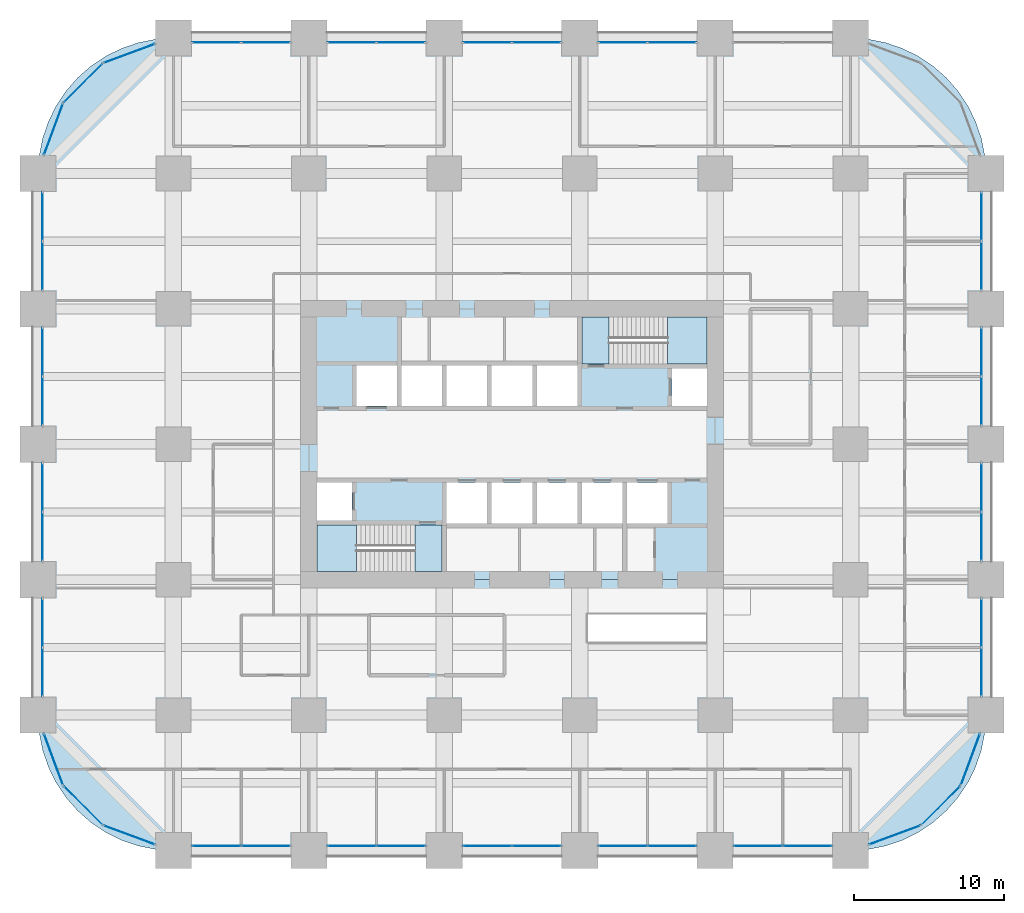
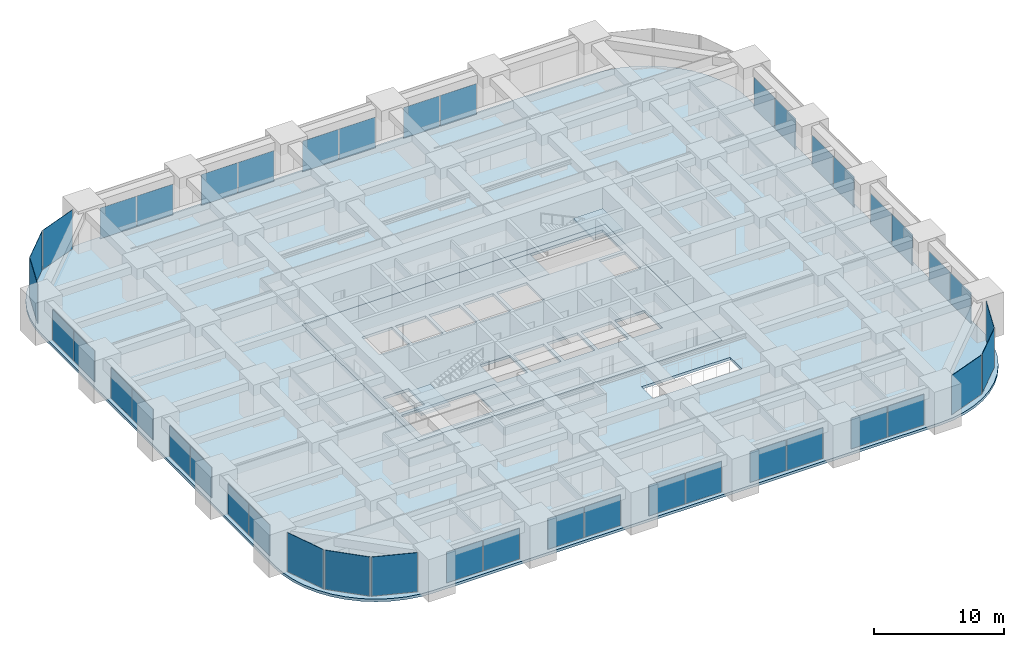
# One storey, part 38 of 45: 43 plates, 6 slabs, 28 elements without a shape of their own.
"""IFC4 building model written with IfcOpenShell, lengths in metres."""

from ifc_helpers import new_model, si_unit, direction, frame, origin, origin_2d, place, context, subcontext, project, spatial, polyline, rectangle, outline, extrude, material, layer, layer_set, type_object, element, aggregate, save


model = new_model("IFC4")

# Units and contexts
model_context = context("Model", 3, precision=1e-05, world=origin(), true_north=direction((0.0, 1.0)))
body_context = subcontext(model_context, "Body", "Model", "MODEL_VIEW")
ifc_project = project(units=[si_unit("LENGTHUNIT", "METRE"), si_unit("AREAUNIT", "SQUARE_METRE"), si_unit("VOLUMEUNIT", "CUBIC_METRE"), si_unit("PLANEANGLEUNIT", "RADIAN"), si_unit("MASSUNIT", "GRAM", prefix="KILO")], contexts=[model_context])

# Site, building, storey
site_placement = place(None, origin())
site = spatial("IfcSite", under=ifc_project, at=site_placement, CompositionType="ELEMENT")
building_placement = place(site_placement, origin())
building = spatial("IfcBuilding", under=site, at=building_placement, Name="Zorevar Civic Tower", CompositionType="ELEMENT")
storey_placement = place(building_placement, frame((0.0, 0.0, 27.800048828125)))
storey = spatial("IfcBuildingStorey", under=building, at=storey_placement, Name="L06", CompositionType="ELEMENT", Elevation=27.800048828125)

# Curtain wall, plates
ifc_material_1 = material(Name="Dark grey solar-control glass in black aluminium frame", Category="aluminium")
curtain_wall_type = type_object("IfcCurtainWallType", Name="Curtain wall CW2 low zone", PredefinedType="NOTDEFINED", material=ifc_material_1)
curtain_wall_1_placement = place(storey_placement, origin())
curtain_wall_1 = element("IfcCurtainWall", 1, at=curtain_wall_1_placement, inside=storey, type_object=curtain_wall_type, Name="CW2 L06", PredefinedType="NOTDEFINED")
ifc_material_2 = material(Name="Dark grey solar-control glass", Category="glass")
ifc_layer_1 = layer(ifc_material_2, 0.031982421875)
ifc_layer_set_1 = layer_set([ifc_layer_1], Name="CW2 panel 32")
plate_type = type_object("IfcPlateType", Name="CW2 panel 32", PredefinedType="CURTAIN_PANEL", material=ifc_layer_set_1)
plate_1_placement = place(storey_placement, frame((11.864990234375, 0.300048828125, 0.06005859375), z_axis=(0.0, 0.0, 1.0), x_axis=(1.0, 0.0, 0.0)))
plate_1 = element("IfcPlate", 2, at=plate_1_placement, type_object=plate_type, Name="CW2 panel 1.1", PredefinedType="CURTAIN_PANEL", context=body_context, shape_type="SweptSolid", body=[
    extrude(rectangle(XDim=3.2099609375, YDim=0.031982421875, at=origin_2d()), origin(), (0.0, 0.0, 1.0), 2.889892578125),
])
plate_2_placement = place(storey_placement, frame((15.135009765625, 0.300048828125, 0.06005859375), z_axis=(0.0, 0.0, 1.0), x_axis=(1.0, 0.0, 0.0)))
plate_2 = element("IfcPlate", 3, at=plate_2_placement, type_object=plate_type, Name="CW2 panel 2.1", PredefinedType="CURTAIN_PANEL", context=body_context, shape_type="SweptSolid", body=[
    extrude(rectangle(XDim=3.2099609375, YDim=0.031982421875, at=origin_2d()), origin(), (0.0, 0.0, 1.0), 2.889892578125),
])
aggregate(curtain_wall_1, [plate_1, plate_2])

curtain_wall_2_placement = place(storey_placement, origin())
curtain_wall_2 = element("IfcCurtainWall", 4, at=curtain_wall_2_placement, inside=storey, type_object=curtain_wall_type, Name="CW2 L06", PredefinedType="NOTDEFINED")
plate_3_placement = place(storey_placement, frame((11.864990234375, 53.699951171875, 0.06005859375), z_axis=(0.0, 0.0, 1.0), x_axis=(1.0, 0.0, 0.0)))
plate_3 = element("IfcPlate", 5, at=plate_3_placement, type_object=plate_type, Name="CW2 panel 1.1", PredefinedType="CURTAIN_PANEL", context=body_context, shape_type="SweptSolid", body=[
    extrude(rectangle(XDim=3.2099609375, YDim=0.031982421875, at=origin_2d()), origin(), (0.0, 0.0, 1.0), 2.889892578125),
])
plate_4_placement = place(storey_placement, frame((15.135009765625, 53.699951171875, 0.06005859375), z_axis=(0.0, 0.0, 1.0), x_axis=(1.0, 0.0, 0.0)))
plate_4 = element("IfcPlate", 6, at=plate_4_placement, type_object=plate_type, Name="CW2 panel 2.1", PredefinedType="CURTAIN_PANEL", context=body_context, shape_type="SweptSolid", body=[
    extrude(rectangle(XDim=3.2099609375, YDim=0.031982421875, at=origin_2d()), origin(), (0.0, 0.0, 1.0), 2.889892578125),
])
aggregate(curtain_wall_2, [plate_3, plate_4])

curtain_wall_3_placement = place(storey_placement, origin())
curtain_wall_3 = element("IfcCurtainWall", 7, at=curtain_wall_3_placement, inside=storey, type_object=curtain_wall_type, Name="CW2 L06", PredefinedType="NOTDEFINED")
plate_5_placement = place(storey_placement, frame((20.864990234375, 0.300048828125, 0.06005859375), z_axis=(0.0, 0.0, 1.0), x_axis=(1.0, 0.0, 0.0)))
plate_5 = element("IfcPlate", 8, at=plate_5_placement, type_object=plate_type, Name="CW2 panel 1.1", PredefinedType="CURTAIN_PANEL", context=body_context, shape_type="SweptSolid", body=[
    extrude(rectangle(XDim=3.2099609375, YDim=0.031982421875, at=origin_2d()), origin(), (0.0, 0.0, 1.0), 2.889892578125),
])
plate_6_placement = place(storey_placement, frame((24.135009765625, 0.300048828125, 0.06005859375), z_axis=(0.0, 0.0, 1.0), x_axis=(1.0, 0.0, 0.0)))
plate_6 = element("IfcPlate", 9, at=plate_6_placement, type_object=plate_type, Name="CW2 panel 2.1", PredefinedType="CURTAIN_PANEL", context=body_context, shape_type="SweptSolid", body=[
    extrude(rectangle(XDim=3.2099609375, YDim=0.031982421875, at=origin_2d()), origin(), (0.0, 0.0, 1.0), 2.889892578125),
])
aggregate(curtain_wall_3, [plate_5, plate_6])

curtain_wall_4_placement = place(storey_placement, origin())
curtain_wall_4 = element("IfcCurtainWall", 10, at=curtain_wall_4_placement, inside=storey, type_object=curtain_wall_type, Name="CW2 L06", PredefinedType="NOTDEFINED")
plate_7_placement = place(storey_placement, frame((20.864990234375, 53.699951171875, 0.06005859375), z_axis=(0.0, 0.0, 1.0), x_axis=(1.0, 0.0, 0.0)))
plate_7 = element("IfcPlate", 11, at=plate_7_placement, type_object=plate_type, Name="CW2 panel 1.1", PredefinedType="CURTAIN_PANEL", context=body_context, shape_type="SweptSolid", body=[
    extrude(rectangle(XDim=3.2099609375, YDim=0.031982421875, at=origin_2d()), origin(), (0.0, 0.0, 1.0), 2.889892578125),
])
plate_8_placement = place(storey_placement, frame((24.135009765625, 53.699951171875, 0.06005859375), z_axis=(0.0, 0.0, 1.0), x_axis=(1.0, 0.0, 0.0)))
plate_8 = element("IfcPlate", 12, at=plate_8_placement, type_object=plate_type, Name="CW2 panel 2.1", PredefinedType="CURTAIN_PANEL", context=body_context, shape_type="SweptSolid", body=[
    extrude(rectangle(XDim=3.2099609375, YDim=0.031982421875, at=origin_2d()), origin(), (0.0, 0.0, 1.0), 2.889892578125),
])
aggregate(curtain_wall_4, [plate_7, plate_8])

curtain_wall_5_placement = place(storey_placement, origin())
curtain_wall_5 = element("IfcCurtainWall", 13, at=curtain_wall_5_placement, inside=storey, type_object=curtain_wall_type, Name="CW2 L06", PredefinedType="NOTDEFINED")
plate_9_placement = place(storey_placement, frame((29.864990234375, 0.300048828125, 0.06005859375), z_axis=(0.0, 0.0, 1.0), x_axis=(1.0, 0.0, 0.0)))
plate_9 = element("IfcPlate", 14, at=plate_9_placement, type_object=plate_type, Name="CW2 panel 1.1", PredefinedType="CURTAIN_PANEL", context=body_context, shape_type="SweptSolid", body=[
    extrude(rectangle(XDim=3.2099609375, YDim=0.031982421875, at=origin_2d()), origin(), (0.0, 0.0, 1.0), 2.889892578125),
])
plate_10_placement = place(storey_placement, frame((33.135009765625, 0.300048828125, 0.06005859375), z_axis=(0.0, 0.0, 1.0), x_axis=(1.0, 0.0, 0.0)))
plate_10 = element("IfcPlate", 15, at=plate_10_placement, type_object=plate_type, Name="CW2 panel 2.1", PredefinedType="CURTAIN_PANEL", context=body_context, shape_type="SweptSolid", body=[
    extrude(rectangle(XDim=3.2099609375, YDim=0.031982421875, at=origin_2d()), origin(), (0.0, 0.0, 1.0), 2.889892578125),
])
aggregate(curtain_wall_5, [plate_9, plate_10])

curtain_wall_6_placement = place(storey_placement, origin())
curtain_wall_6 = element("IfcCurtainWall", 16, at=curtain_wall_6_placement, inside=storey, type_object=curtain_wall_type, Name="CW2 L06", PredefinedType="NOTDEFINED")
plate_11_placement = place(storey_placement, frame((29.864990234375, 53.699951171875, 0.06005859375), z_axis=(0.0, 0.0, 1.0), x_axis=(1.0, 0.0, 0.0)))
plate_11 = element("IfcPlate", 17, at=plate_11_placement, type_object=plate_type, Name="CW2 panel 1.1", PredefinedType="CURTAIN_PANEL", context=body_context, shape_type="SweptSolid", body=[
    extrude(rectangle(XDim=3.2099609375, YDim=0.031982421875, at=origin_2d()), origin(), (0.0, 0.0, 1.0), 2.889892578125),
])
plate_12_placement = place(storey_placement, frame((33.135009765625, 53.699951171875, 0.06005859375), z_axis=(0.0, 0.0, 1.0), x_axis=(1.0, 0.0, 0.0)))
plate_12 = element("IfcPlate", 18, at=plate_12_placement, type_object=plate_type, Name="CW2 panel 2.1", PredefinedType="CURTAIN_PANEL", context=body_context, shape_type="SweptSolid", body=[
    extrude(rectangle(XDim=3.2099609375, YDim=0.031982421875, at=origin_2d()), origin(), (0.0, 0.0, 1.0), 2.889892578125),
])
aggregate(curtain_wall_6, [plate_11, plate_12])

curtain_wall_7_placement = place(storey_placement, origin())
curtain_wall_7 = element("IfcCurtainWall", 19, at=curtain_wall_7_placement, inside=storey, type_object=curtain_wall_type, Name="CW2 L06", PredefinedType="NOTDEFINED")
plate_13_placement = place(storey_placement, frame((38.864990234375, 0.300048828125, 0.06005859375), z_axis=(0.0, 0.0, 1.0), x_axis=(1.0, 0.0, 0.0)))
plate_13 = element("IfcPlate", 20, at=plate_13_placement, type_object=plate_type, Name="CW2 panel 1.1", PredefinedType="CURTAIN_PANEL", context=body_context, shape_type="SweptSolid", body=[
    extrude(rectangle(XDim=3.2099609375, YDim=0.031982421875, at=origin_2d()), origin(), (0.0, 0.0, 1.0), 2.889892578125),
])
plate_14_placement = place(storey_placement, frame((42.135009765625, 0.300048828125, 0.06005859375), z_axis=(0.0, 0.0, 1.0), x_axis=(1.0, 0.0, 0.0)))
plate_14 = element("IfcPlate", 21, at=plate_14_placement, type_object=plate_type, Name="CW2 panel 2.1", PredefinedType="CURTAIN_PANEL", context=body_context, shape_type="SweptSolid", body=[
    extrude(rectangle(XDim=3.2099609375, YDim=0.031982421875, at=origin_2d()), origin(), (0.0, 0.0, 1.0), 2.889892578125),
])
aggregate(curtain_wall_7, [plate_13, plate_14])

curtain_wall_8_placement = place(storey_placement, origin())
curtain_wall_8 = element("IfcCurtainWall", 22, at=curtain_wall_8_placement, inside=storey, type_object=curtain_wall_type, Name="CW2 L06", PredefinedType="NOTDEFINED")
plate_15_placement = place(storey_placement, frame((38.864990234375, 53.699951171875, 0.06005859375), z_axis=(0.0, 0.0, 1.0), x_axis=(1.0, 0.0, 0.0)))
plate_15 = element("IfcPlate", 23, at=plate_15_placement, type_object=plate_type, Name="CW2 panel 1.1", PredefinedType="CURTAIN_PANEL", context=body_context, shape_type="SweptSolid", body=[
    extrude(rectangle(XDim=3.2099609375, YDim=0.031982421875, at=origin_2d()), origin(), (0.0, 0.0, 1.0), 2.889892578125),
])
plate_16_placement = place(storey_placement, frame((42.135009765625, 53.699951171875, 0.06005859375), z_axis=(0.0, 0.0, 1.0), x_axis=(1.0, 0.0, 0.0)))
plate_16 = element("IfcPlate", 24, at=plate_16_placement, type_object=plate_type, Name="CW2 panel 2.1", PredefinedType="CURTAIN_PANEL", context=body_context, shape_type="SweptSolid", body=[
    extrude(rectangle(XDim=3.2099609375, YDim=0.031982421875, at=origin_2d()), origin(), (0.0, 0.0, 1.0), 2.889892578125),
])
aggregate(curtain_wall_8, [plate_15, plate_16])

curtain_wall_9_placement = place(storey_placement, origin())
curtain_wall_9 = element("IfcCurtainWall", 25, at=curtain_wall_9_placement, inside=storey, type_object=curtain_wall_type, Name="CW2 L06", PredefinedType="NOTDEFINED")
plate_17_placement = place(storey_placement, frame((47.864990234375, 0.300048828125, 0.06005859375), z_axis=(0.0, 0.0, 1.0), x_axis=(1.0, 0.0, 0.0)))
plate_17 = element("IfcPlate", 26, at=plate_17_placement, type_object=plate_type, Name="CW2 panel 1.1", PredefinedType="CURTAIN_PANEL", context=body_context, shape_type="SweptSolid", body=[
    extrude(rectangle(XDim=3.2099609375, YDim=0.031982421875, at=origin_2d()), origin(), (0.0, 0.0, 1.0), 2.889892578125),
])
plate_18_placement = place(storey_placement, frame((51.135009765625, 0.300048828125, 0.06005859375), z_axis=(0.0, 0.0, 1.0), x_axis=(1.0, 0.0, 0.0)))
plate_18 = element("IfcPlate", 27, at=plate_18_placement, type_object=plate_type, Name="CW2 panel 2.1", PredefinedType="CURTAIN_PANEL", context=body_context, shape_type="SweptSolid", body=[
    extrude(rectangle(XDim=3.2099609375, YDim=0.031982421875, at=origin_2d()), origin(), (0.0, 0.0, 1.0), 2.889892578125),
])
aggregate(curtain_wall_9, [plate_17, plate_18])

curtain_wall_10_placement = place(storey_placement, origin())
curtain_wall_10 = element("IfcCurtainWall", 28, at=curtain_wall_10_placement, inside=storey, type_object=curtain_wall_type, Name="CW2 L06", PredefinedType="NOTDEFINED")
plate_19_placement = place(storey_placement, frame((0.300048828125, 11.864990234375, 0.06005859375), z_axis=(0.0, 0.0, 1.0), x_axis=(0.0, 1.0, 0.0)))
plate_19 = element("IfcPlate", 29, at=plate_19_placement, type_object=plate_type, Name="CW2 panel 1.1", PredefinedType="CURTAIN_PANEL", context=body_context, shape_type="SweptSolid", body=[
    extrude(rectangle(XDim=3.2099609375, YDim=0.031982421875, at=origin_2d()), origin(), (0.0, 0.0, 1.0), 2.889892578125),
])
plate_20_placement = place(storey_placement, frame((0.300048828125, 15.135009765625, 0.06005859375), z_axis=(0.0, 0.0, 1.0), x_axis=(0.0, 1.0, 0.0)))
plate_20 = element("IfcPlate", 30, at=plate_20_placement, type_object=plate_type, Name="CW2 panel 2.1", PredefinedType="CURTAIN_PANEL", context=body_context, shape_type="SweptSolid", body=[
    extrude(rectangle(XDim=3.2099609375, YDim=0.031982421875, at=origin_2d()), origin(), (0.0, 0.0, 1.0), 2.889892578125),
])
aggregate(curtain_wall_10, [plate_19, plate_20])

curtain_wall_11_placement = place(storey_placement, origin())
curtain_wall_11 = element("IfcCurtainWall", 31, at=curtain_wall_11_placement, inside=storey, type_object=curtain_wall_type, Name="CW2 L06", PredefinedType="NOTDEFINED")
plate_21_placement = place(storey_placement, frame((62.699951171875, 11.864990234375, 0.06005859375), z_axis=(0.0, 0.0, 1.0), x_axis=(0.0, 1.0, 0.0)))
plate_21 = element("IfcPlate", 32, at=plate_21_placement, type_object=plate_type, Name="CW2 panel 1.1", PredefinedType="CURTAIN_PANEL", context=body_context, shape_type="SweptSolid", body=[
    extrude(rectangle(XDim=3.2099609375, YDim=0.031982421875, at=origin_2d()), origin(), (0.0, 0.0, 1.0), 2.889892578125),
])
plate_22_placement = place(storey_placement, frame((62.699951171875, 15.135009765625, 0.06005859375), z_axis=(0.0, 0.0, 1.0), x_axis=(0.0, 1.0, 0.0)))
plate_22 = element("IfcPlate", 33, at=plate_22_placement, type_object=plate_type, Name="CW2 panel 2.1", PredefinedType="CURTAIN_PANEL", context=body_context, shape_type="SweptSolid", body=[
    extrude(rectangle(XDim=3.2099609375, YDim=0.031982421875, at=origin_2d()), origin(), (0.0, 0.0, 1.0), 2.889892578125),
])
aggregate(curtain_wall_11, [plate_21, plate_22])

curtain_wall_12_placement = place(storey_placement, origin())
curtain_wall_12 = element("IfcCurtainWall", 34, at=curtain_wall_12_placement, inside=storey, type_object=curtain_wall_type, Name="CW2 L06", PredefinedType="NOTDEFINED")
plate_23_placement = place(storey_placement, frame((0.300048828125, 20.864990234375, 0.06005859375), z_axis=(0.0, 0.0, 1.0), x_axis=(0.0, 1.0, 0.0)))
plate_23 = element("IfcPlate", 35, at=plate_23_placement, type_object=plate_type, Name="CW2 panel 1.1", PredefinedType="CURTAIN_PANEL", context=body_context, shape_type="SweptSolid", body=[
    extrude(rectangle(XDim=3.2099609375, YDim=0.031982421875, at=origin_2d()), origin(), (0.0, 0.0, 1.0), 2.889892578125),
])
plate_24_placement = place(storey_placement, frame((0.300048828125, 24.135009765625, 0.06005859375), z_axis=(0.0, 0.0, 1.0), x_axis=(0.0, 1.0, 0.0)))
plate_24 = element("IfcPlate", 36, at=plate_24_placement, type_object=plate_type, Name="CW2 panel 2.1", PredefinedType="CURTAIN_PANEL", context=body_context, shape_type="SweptSolid", body=[
    extrude(rectangle(XDim=3.2099609375, YDim=0.031982421875, at=origin_2d()), origin(), (0.0, 0.0, 1.0), 2.889892578125),
])
aggregate(curtain_wall_12, [plate_23, plate_24])

curtain_wall_13_placement = place(storey_placement, origin())
curtain_wall_13 = element("IfcCurtainWall", 37, at=curtain_wall_13_placement, inside=storey, type_object=curtain_wall_type, Name="CW2 L06", PredefinedType="NOTDEFINED")
plate_25_placement = place(storey_placement, frame((62.699951171875, 20.864990234375, 0.06005859375), z_axis=(0.0, 0.0, 1.0), x_axis=(0.0, 1.0, 0.0)))
plate_25 = element("IfcPlate", 38, at=plate_25_placement, type_object=plate_type, Name="CW2 panel 1.1", PredefinedType="CURTAIN_PANEL", context=body_context, shape_type="SweptSolid", body=[
    extrude(rectangle(XDim=3.2099609375, YDim=0.031982421875, at=origin_2d()), origin(), (0.0, 0.0, 1.0), 2.889892578125),
])
plate_26_placement = place(storey_placement, frame((62.699951171875, 24.135009765625, 0.06005859375), z_axis=(0.0, 0.0, 1.0), x_axis=(0.0, 1.0, 0.0)))
plate_26 = element("IfcPlate", 39, at=plate_26_placement, type_object=plate_type, Name="CW2 panel 2.1", PredefinedType="CURTAIN_PANEL", context=body_context, shape_type="SweptSolid", body=[
    extrude(rectangle(XDim=3.2099609375, YDim=0.031982421875, at=origin_2d()), origin(), (0.0, 0.0, 1.0), 2.889892578125),
])
aggregate(curtain_wall_13, [plate_25, plate_26])

curtain_wall_14_placement = place(storey_placement, origin())
curtain_wall_14 = element("IfcCurtainWall", 40, at=curtain_wall_14_placement, inside=storey, type_object=curtain_wall_type, Name="CW2 L06", PredefinedType="NOTDEFINED")
plate_27_placement = place(storey_placement, frame((0.300048828125, 29.864990234375, 0.06005859375), z_axis=(0.0, 0.0, 1.0), x_axis=(0.0, 1.0, 0.0)))
plate_27 = element("IfcPlate", 41, at=plate_27_placement, type_object=plate_type, Name="CW2 panel 1.1", PredefinedType="CURTAIN_PANEL", context=body_context, shape_type="SweptSolid", body=[
    extrude(rectangle(XDim=3.2099609375, YDim=0.031982421875, at=origin_2d()), origin(), (0.0, 0.0, 1.0), 2.889892578125),
])
plate_28_placement = place(storey_placement, frame((0.300048828125, 33.135009765625, 0.06005859375), z_axis=(0.0, 0.0, 1.0), x_axis=(0.0, 1.0, 0.0)))
plate_28 = element("IfcPlate", 42, at=plate_28_placement, type_object=plate_type, Name="CW2 panel 2.1", PredefinedType="CURTAIN_PANEL", context=body_context, shape_type="SweptSolid", body=[
    extrude(rectangle(XDim=3.2099609375, YDim=0.031982421875, at=origin_2d()), origin(), (0.0, 0.0, 1.0), 2.889892578125),
])
aggregate(curtain_wall_14, [plate_27, plate_28])

curtain_wall_15_placement = place(storey_placement, origin())
curtain_wall_15 = element("IfcCurtainWall", 43, at=curtain_wall_15_placement, inside=storey, type_object=curtain_wall_type, Name="CW2 L06", PredefinedType="NOTDEFINED")
plate_29_placement = place(storey_placement, frame((62.699951171875, 29.864990234375, 0.06005859375), z_axis=(0.0, 0.0, 1.0), x_axis=(0.0, 1.0, 0.0)))
plate_29 = element("IfcPlate", 44, at=plate_29_placement, type_object=plate_type, Name="CW2 panel 1.1", PredefinedType="CURTAIN_PANEL", context=body_context, shape_type="SweptSolid", body=[
    extrude(rectangle(XDim=3.2099609375, YDim=0.031982421875, at=origin_2d()), origin(), (0.0, 0.0, 1.0), 2.889892578125),
])
plate_30_placement = place(storey_placement, frame((62.699951171875, 33.135009765625, 0.06005859375), z_axis=(0.0, 0.0, 1.0), x_axis=(0.0, 1.0, 0.0)))
plate_30 = element("IfcPlate", 45, at=plate_30_placement, type_object=plate_type, Name="CW2 panel 2.1", PredefinedType="CURTAIN_PANEL", context=body_context, shape_type="SweptSolid", body=[
    extrude(rectangle(XDim=3.2099609375, YDim=0.031982421875, at=origin_2d()), origin(), (0.0, 0.0, 1.0), 2.889892578125),
])
aggregate(curtain_wall_15, [plate_29, plate_30])

curtain_wall_16_placement = place(storey_placement, origin())
curtain_wall_16 = element("IfcCurtainWall", 46, at=curtain_wall_16_placement, inside=storey, type_object=curtain_wall_type, Name="CW2 L06", PredefinedType="NOTDEFINED")
plate_31_placement = place(storey_placement, frame((0.300048828125, 38.864990234375, 0.06005859375), z_axis=(0.0, 0.0, 1.0), x_axis=(0.0, 1.0, 0.0)))
plate_31 = element("IfcPlate", 47, at=plate_31_placement, type_object=plate_type, Name="CW2 panel 1.1", PredefinedType="CURTAIN_PANEL", context=body_context, shape_type="SweptSolid", body=[
    extrude(rectangle(XDim=3.2099609375, YDim=0.031982421875, at=origin_2d()), origin(), (0.0, 0.0, 1.0), 2.889892578125),
])
plate_32_placement = place(storey_placement, frame((0.300048828125, 42.135009765625, 0.06005859375), z_axis=(0.0, 0.0, 1.0), x_axis=(0.0, 1.0, 0.0)))
plate_32 = element("IfcPlate", 48, at=plate_32_placement, type_object=plate_type, Name="CW2 panel 2.1", PredefinedType="CURTAIN_PANEL", context=body_context, shape_type="SweptSolid", body=[
    extrude(rectangle(XDim=3.2099609375, YDim=0.031982421875, at=origin_2d()), origin(), (0.0, 0.0, 1.0), 2.889892578125),
])
aggregate(curtain_wall_16, [plate_31, plate_32])

curtain_wall_17_placement = place(storey_placement, origin())
curtain_wall_17 = element("IfcCurtainWall", 49, at=curtain_wall_17_placement, inside=storey, type_object=curtain_wall_type, Name="CW2 L06", PredefinedType="NOTDEFINED")
plate_33_placement = place(storey_placement, frame((62.699951171875, 38.864990234375, 0.06005859375), z_axis=(0.0, 0.0, 1.0), x_axis=(0.0, 1.0, 0.0)))
plate_33 = element("IfcPlate", 50, at=plate_33_placement, type_object=plate_type, Name="CW2 panel 1.1", PredefinedType="CURTAIN_PANEL", context=body_context, shape_type="SweptSolid", body=[
    extrude(rectangle(XDim=3.2099609375, YDim=0.031982421875, at=origin_2d()), origin(), (0.0, 0.0, 1.0), 2.889892578125),
])
plate_34_placement = place(storey_placement, frame((62.699951171875, 42.135009765625, 0.06005859375), z_axis=(0.0, 0.0, 1.0), x_axis=(0.0, 1.0, 0.0)))
plate_34 = element("IfcPlate", 51, at=plate_34_placement, type_object=plate_type, Name="CW2 panel 2.1", PredefinedType="CURTAIN_PANEL", context=body_context, shape_type="SweptSolid", body=[
    extrude(rectangle(XDim=3.2099609375, YDim=0.031982421875, at=origin_2d()), origin(), (0.0, 0.0, 1.0), 2.889892578125),
])
aggregate(curtain_wall_17, [plate_33, plate_34])

# Curtain wall, plate
curtain_wall_18_placement = place(storey_placement, origin())
curtain_wall_18 = element("IfcCurtainWall", 52, at=curtain_wall_18_placement, inside=storey, type_object=curtain_wall_type, Name="CW2 L06", PredefinedType="NOTDEFINED")
plate_35_placement = place(storey_placement, frame((56.9462890625, 1.02880859375, 0.06005859375), z_axis=(0.0, 0.0, 1.0), x_axis=(0.937974588163, 0.346704012033, 0.0)))
plate_35 = element("IfcPlate", 53, at=plate_35_placement, type_object=plate_type, Name="CW2 panel 1.1", PredefinedType="CURTAIN_PANEL", context=body_context, shape_type="SweptSolid", body=[
    extrude(rectangle(XDim=3.603759765625, YDim=0.031982421875, at=origin_2d()), origin(), (0.0, 0.0, 1.0), 3.68994140625),
])
aggregate(curtain_wall_18, [plate_35])

curtain_wall_19_placement = place(storey_placement, origin())
curtain_wall_19 = element("IfcCurtainWall", 54, at=curtain_wall_19_placement, inside=storey, type_object=curtain_wall_type, Name="CW2 L06", PredefinedType="NOTDEFINED")
plate_36_placement = place(storey_placement, frame((60.00927734375, 2.99072265625, 0.06005859375), z_axis=(0.0, 0.0, 1.0), x_axis=(0.707106781187, 0.707106781187, 0.0)))
plate_36 = element("IfcPlate", 55, at=plate_36_placement, type_object=plate_type, Name="CW2 panel 1.1", PredefinedType="CURTAIN_PANEL", context=body_context, shape_type="SweptSolid", body=[
    extrude(rectangle(XDim=3.603759765625, YDim=0.031982421875, at=origin_2d()), origin(), (0.0, 0.0, 1.0), 3.68994140625),
])
aggregate(curtain_wall_19, [plate_36])

curtain_wall_20_placement = place(storey_placement, origin())
curtain_wall_20 = element("IfcCurtainWall", 56, at=curtain_wall_20_placement, inside=storey, type_object=curtain_wall_type, Name="CW2 L06", PredefinedType="NOTDEFINED")
plate_37_placement = place(storey_placement, frame((61.97119140625, 6.0537109375, 0.06005859375), z_axis=(0.0, 0.0, 1.0), x_axis=(0.346704012033, 0.937974588163, 0.0)))
plate_37 = element("IfcPlate", 57, at=plate_37_placement, type_object=plate_type, Name="CW2 panel 1.1", PredefinedType="CURTAIN_PANEL", context=body_context, shape_type="SweptSolid", body=[
    extrude(rectangle(XDim=3.603759765625, YDim=0.031982421875, at=origin_2d()), origin(), (0.0, 0.0, 1.0), 3.68994140625),
])
aggregate(curtain_wall_20, [plate_37])

curtain_wall_21_placement = place(storey_placement, origin())
curtain_wall_21 = element("IfcCurtainWall", 58, at=curtain_wall_21_placement, inside=storey, type_object=curtain_wall_type, Name="CW2 L06", PredefinedType="NOTDEFINED")
plate_38_placement = place(storey_placement, frame((6.0537109375, 52.97119140625, 0.06005859375), z_axis=(0.0, 0.0, 1.0), x_axis=(-0.937974588163, -0.346704012033, 0.0)))
plate_38 = element("IfcPlate", 59, at=plate_38_placement, type_object=plate_type, Name="CW2 panel 1.1", PredefinedType="CURTAIN_PANEL", context=body_context, shape_type="SweptSolid", body=[
    extrude(rectangle(XDim=3.603759765625, YDim=0.031982421875, at=origin_2d()), origin(), (0.0, 0.0, 1.0), 3.68994140625),
])
aggregate(curtain_wall_21, [plate_38])

curtain_wall_22_placement = place(storey_placement, origin())
curtain_wall_22 = element("IfcCurtainWall", 60, at=curtain_wall_22_placement, inside=storey, type_object=curtain_wall_type, Name="CW2 L06", PredefinedType="NOTDEFINED")
plate_39_placement = place(storey_placement, frame((2.99072265625, 51.00927734375, 0.06005859375), z_axis=(0.0, 0.0, 1.0), x_axis=(-0.707106781187, -0.707106781187, 0.0)))
plate_39 = element("IfcPlate", 61, at=plate_39_placement, type_object=plate_type, Name="CW2 panel 1.1", PredefinedType="CURTAIN_PANEL", context=body_context, shape_type="SweptSolid", body=[
    extrude(rectangle(XDim=3.603759765625, YDim=0.031982421875, at=origin_2d()), origin(), (0.0, 0.0, 1.0), 3.68994140625),
])
aggregate(curtain_wall_22, [plate_39])

curtain_wall_23_placement = place(storey_placement, origin())
curtain_wall_23 = element("IfcCurtainWall", 62, at=curtain_wall_23_placement, inside=storey, type_object=curtain_wall_type, Name="CW2 L06", PredefinedType="NOTDEFINED")
plate_40_placement = place(storey_placement, frame((1.02880859375, 47.9462890625, 0.06005859375), z_axis=(0.0, 0.0, 1.0), x_axis=(-0.346704012033, -0.937974588163, 0.0)))
plate_40 = element("IfcPlate", 63, at=plate_40_placement, type_object=plate_type, Name="CW2 panel 1.1", PredefinedType="CURTAIN_PANEL", context=body_context, shape_type="SweptSolid", body=[
    extrude(rectangle(XDim=3.603759765625, YDim=0.031982421875, at=origin_2d()), origin(), (0.0, 0.0, 1.0), 3.68994140625),
])
aggregate(curtain_wall_23, [plate_40])

curtain_wall_24_placement = place(storey_placement, origin())
curtain_wall_24 = element("IfcCurtainWall", 64, at=curtain_wall_24_placement, inside=storey, type_object=curtain_wall_type, Name="CW2 L06", PredefinedType="NOTDEFINED")
plate_41_placement = place(storey_placement, frame((1.02880859375, 6.0537109375, 0.06005859375), z_axis=(0.0, 0.0, 1.0), x_axis=(0.346704012033, -0.937974588163, 0.0)))
plate_41 = element("IfcPlate", 65, at=plate_41_placement, type_object=plate_type, Name="CW2 panel 1.1", PredefinedType="CURTAIN_PANEL", context=body_context, shape_type="SweptSolid", body=[
    extrude(rectangle(XDim=3.603759765625, YDim=0.031982421875, at=origin_2d()), origin(), (0.0, 0.0, 1.0), 3.68994140625),
])
aggregate(curtain_wall_24, [plate_41])

curtain_wall_25_placement = place(storey_placement, origin())
curtain_wall_25 = element("IfcCurtainWall", 66, at=curtain_wall_25_placement, inside=storey, type_object=curtain_wall_type, Name="CW2 L06", PredefinedType="NOTDEFINED")
plate_42_placement = place(storey_placement, frame((2.99072265625, 2.99072265625, 0.06005859375), z_axis=(0.0, 0.0, 1.0), x_axis=(0.707106781187, -0.707106781187, 0.0)))
plate_42 = element("IfcPlate", 67, at=plate_42_placement, type_object=plate_type, Name="CW2 panel 1.1", PredefinedType="CURTAIN_PANEL", context=body_context, shape_type="SweptSolid", body=[
    extrude(rectangle(XDim=3.603759765625, YDim=0.031982421875, at=origin_2d()), origin(), (0.0, 0.0, 1.0), 3.68994140625),
])
aggregate(curtain_wall_25, [plate_42])

curtain_wall_26_placement = place(storey_placement, origin())
curtain_wall_26 = element("IfcCurtainWall", 68, at=curtain_wall_26_placement, inside=storey, type_object=curtain_wall_type, Name="CW2 L06", PredefinedType="NOTDEFINED")
plate_43_placement = place(storey_placement, frame((6.0537109375, 1.02880859375, 0.06005859375), z_axis=(0.0, 0.0, 1.0), x_axis=(0.937974588163, -0.346704012033, 0.0)))
plate_43 = element("IfcPlate", 69, at=plate_43_placement, type_object=plate_type, Name="CW2 panel 1.1", PredefinedType="CURTAIN_PANEL", context=body_context, shape_type="SweptSolid", body=[
    extrude(rectangle(XDim=3.603759765625, YDim=0.031982421875, at=origin_2d()), origin(), (0.0, 0.0, 1.0), 3.68994140625),
])
aggregate(curtain_wall_26, [plate_43])

# Slabs
ifc_material_3 = material(Name="Concrete C40/50", Category="concrete")
ifc_layer_2 = layer(ifc_material_3, 0.25)
ifc_layer_set_2 = layer_set([ifc_layer_2], Name="Floor slab 250")
slab_type_1 = type_object("IfcSlabType", Name="Floor slab 250", PredefinedType="FLOOR", material=ifc_layer_set_2)
slab_1_placement = place(storey_placement, frame((0.0, 0.0, -0.25)))
element("IfcSlab", 70, at=slab_1_placement, inside=storey, type_object=slab_type_1, Name="Floor slab L06", PredefinedType="FLOOR", context=body_context, shape_type="SweptSolid", body=[
    extrude(outline(polyline([(54.0, 0.0), (55.1748046875, 0.076904296875), (56.329345703125, 0.306640625), (57.444091796875, 0.68505859375), (58.5, 1.205810546875), (59.478759765625, 1.85986328125), (60.364013671875, 2.635986328125), (61.14013671875, 3.521240234375), (61.794189453125, 4.5), (62.31494140625, 5.555908203125), (62.693359375, 6.670654296875), (62.923095703125, 7.8251953125), (63.0, 9.0), (63.0, 45.0), (62.923095703125, 46.1748046875), (62.693359375, 47.329345703125), (62.31494140625, 48.444091796875), (61.794189453125, 49.5), (61.14013671875, 50.478759765625), (60.364013671875, 51.364013671875), (59.478759765625, 52.14013671875), (58.5, 52.794189453125), (57.444091796875, 53.31494140625), (56.329345703125, 53.693359375), (55.1748046875, 53.923095703125), (54.0, 54.0), (9.0, 54.0), (7.8251953125, 53.923095703125), (6.670654296875, 53.693359375), (5.555908203125, 53.31494140625), (4.5, 52.794189453125), (3.521240234375, 52.14013671875), (2.635986328125, 51.364013671875), (1.85986328125, 50.478759765625), (1.205810546875, 49.5), (0.68505859375, 48.444091796875), (0.306640625, 47.329345703125), (0.076904296875, 46.1748046875), (0.0, 45.0), (0.0, 9.0), (0.076904296875, 7.8251953125), (0.306640625, 6.670654296875), (0.68505859375, 5.555908203125), (1.205810546875, 4.5), (1.85986328125, 3.521240234375), (2.635986328125, 2.635986328125), (3.521240234375, 1.85986328125), (4.5, 1.205810546875), (5.555908203125, 0.68505859375), (6.670654296875, 0.306640625), (7.8251953125, 0.076904296875), (9.0, 0.0), (54.0, 0.0)]), holes=[polyline([(18.0, 18.0), (45.0, 18.0), (45.0, 36.0), (18.0, 36.0), (18.0, 18.0)]), polyline([(36.5, 13.89990234375), (44.39990234375, 13.89990234375), (44.39990234375, 15.699951171875), (36.5, 15.699951171875), (36.5, 13.89990234375)])]), origin(), (0.0, 0.0, 1.0), 0.25),
])
slab_2_placement = place(storey_placement, frame((0.0, 0.0, -0.25)))
element("IfcSlab", 71, at=slab_2_placement, inside=storey, type_object=slab_type_1, Name="Core floor L06", PredefinedType="FLOOR", context=body_context, shape_type="SweptSolid", body=[
    extrude(outline(polyline([(18.0, 18.0), (45.0, 18.0), (45.0, 36.0), (18.0, 36.0), (18.0, 18.0)]), holes=[polyline([(18.550048828125, 18.550048828125), (26.85009765625, 18.550048828125), (26.85009765625, 21.64990234375), (18.550048828125, 21.64990234375), (18.550048828125, 18.550048828125)]), polyline([(36.14990234375, 32.35009765625), (44.449951171875, 32.35009765625), (44.449951171875, 35.449951171875), (36.14990234375, 35.449951171875), (36.14990234375, 32.35009765625)]), polyline([(18.550048828125, 21.949951171875), (20.85009765625, 21.949951171875), (20.85009765625, 24.449951171875), (18.550048828125, 24.449951171875), (18.550048828125, 21.949951171875)]), polyline([(42.14990234375, 29.550048828125), (44.449951171875, 29.550048828125), (44.449951171875, 32.050048828125), (42.14990234375, 32.050048828125), (42.14990234375, 29.550048828125)]), polyline([(27.14990234375, 21.75), (29.85009765625, 21.75), (29.85009765625, 24.449951171875), (27.14990234375, 24.449951171875), (27.14990234375, 21.75)]), polyline([(33.14990234375, 29.550048828125), (35.85009765625, 29.550048828125), (35.85009765625, 32.25), (33.14990234375, 32.25), (33.14990234375, 29.550048828125)]), polyline([(30.14990234375, 21.75), (32.85009765625, 21.75), (32.85009765625, 24.449951171875), (30.14990234375, 24.449951171875), (30.14990234375, 21.75)]), polyline([(30.14990234375, 29.550048828125), (32.85009765625, 29.550048828125), (32.85009765625, 32.25), (30.14990234375, 32.25), (30.14990234375, 29.550048828125)]), polyline([(33.14990234375, 21.75), (35.85009765625, 21.75), (35.85009765625, 24.449951171875), (33.14990234375, 24.449951171875), (33.14990234375, 21.75)]), polyline([(27.14990234375, 29.550048828125), (29.85009765625, 29.550048828125), (29.85009765625, 32.25), (27.14990234375, 32.25), (27.14990234375, 29.550048828125)]), polyline([(36.14990234375, 21.75), (38.85009765625, 21.75), (38.85009765625, 24.449951171875), (36.14990234375, 24.449951171875), (36.14990234375, 21.75)]), polyline([(24.14990234375, 29.550048828125), (26.85009765625, 29.550048828125), (26.85009765625, 32.25), (24.14990234375, 32.25), (24.14990234375, 29.550048828125)]), polyline([(39.14990234375, 21.75), (41.85009765625, 21.75), (41.85009765625, 24.449951171875), (39.14990234375, 24.449951171875), (39.14990234375, 21.75)]), polyline([(21.14990234375, 29.550048828125), (23.85009765625, 29.550048828125), (23.85009765625, 32.25), (21.14990234375, 32.25), (21.14990234375, 29.550048828125)])]), origin(), (0.0, 0.0, 1.0), 0.25),
])

# Stair, slabs
ifc_material_4 = material(Name="Precast concrete C40/50", Category="concrete")
stair_type = type_object("IfcStairType", Name="Stair ST 28R", PredefinedType="HALF_TURN_STAIR", material=ifc_material_4)
stair_1_placement = place(storey_placement, origin())
stair_1 = element("IfcStair", 72, at=stair_1_placement, inside=storey, type_object=stair_type, Name="Stair ST1 L06", PredefinedType="HALF_TURN_STAIR")
ifc_material_5 = material(Name="Concrete C40/50", Category="concrete")
ifc_layer_3 = layer(ifc_material_5, 0.199951171875)
ifc_layer_set_3 = layer_set([ifc_layer_3], Name="Stair landing 200")
slab_type_2 = type_object("IfcSlabType", Name="Stair landing 200", PredefinedType="LANDING", material=ifc_layer_set_3)
slab_3_placement = place(storey_placement, frame((0.0, 0.0, -0.199951171875)))
slab_3 = element("IfcSlab", 73, at=slab_3_placement, type_object=slab_type_2, Name="ST1 landing 1", PredefinedType="LANDING", context=body_context, shape_type="SweptSolid", body=[
    extrude(outline(polyline([(25.050048828125, 18.550048828125), (26.85009765625, 18.550048828125), (26.85009765625, 21.64990234375), (25.050048828125, 21.64990234375), (25.050048828125, 18.550048828125)])), origin(), (0.0, 0.0, 1.0), 0.199951171875),
])
slab_4_placement = place(storey_placement, frame((0.0, 0.0, 1.800048828125)))
slab_4 = element("IfcSlab", 74, at=slab_4_placement, type_object=slab_type_2, Name="ST1 landing 2", PredefinedType="LANDING", context=body_context, shape_type="SweptSolid", body=[
    extrude(outline(polyline([(18.550048828125, 18.550048828125), (21.14990234375, 18.550048828125), (21.14990234375, 21.64990234375), (18.550048828125, 21.64990234375), (18.550048828125, 18.550048828125)])), origin(), (0.0, 0.0, 1.0), 0.199951171875),
])
aggregate(stair_1, [slab_3, slab_4])

stair_2_placement = place(storey_placement, origin())
stair_2 = element("IfcStair", 75, at=stair_2_placement, inside=storey, type_object=stair_type, Name="Stair ST2 L06", PredefinedType="HALF_TURN_STAIR")
slab_5_placement = place(storey_placement, frame((0.0, 0.0, -0.199951171875)))
slab_5 = element("IfcSlab", 76, at=slab_5_placement, type_object=slab_type_2, Name="ST2 landing 1", PredefinedType="LANDING", context=body_context, shape_type="SweptSolid", body=[
    extrude(outline(polyline([(37.949951171875, 32.35009765625), (36.14990234375, 32.35009765625), (36.14990234375, 35.449951171875), (37.949951171875, 35.449951171875), (37.949951171875, 32.35009765625)])), origin(), (0.0, 0.0, 1.0), 0.199951171875),
])
slab_6_placement = place(storey_placement, frame((0.0, 0.0, 1.800048828125)))
slab_6 = element("IfcSlab", 77, at=slab_6_placement, type_object=slab_type_2, Name="ST2 landing 2", PredefinedType="LANDING", context=body_context, shape_type="SweptSolid", body=[
    extrude(outline(polyline([(44.449951171875, 32.35009765625), (41.85009765625, 32.35009765625), (41.85009765625, 35.449951171875), (44.449951171875, 35.449951171875), (44.449951171875, 32.35009765625)])), origin(), (0.0, 0.0, 1.0), 0.199951171875),
])
aggregate(stair_2, [slab_5, slab_6])

save(model, "model.ifc")
